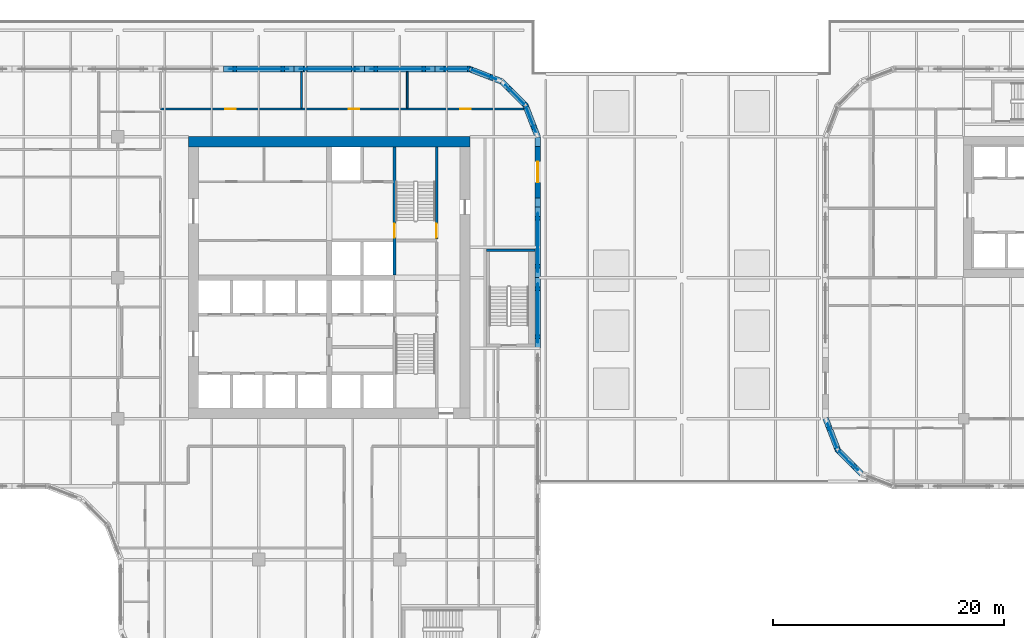
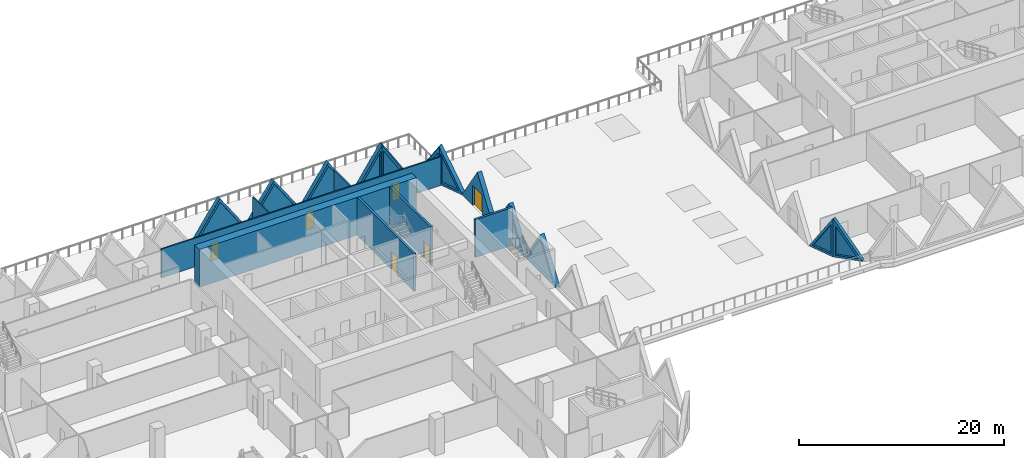
# One storey, part 12 of 21: 19 walls, 11 plates, 6 doors, 17 openings.
"""IFC4 building model written with IfcOpenShell, lengths in metres."""

from ifc_helpers import new_model, si_unit, direction, frame, frame_2d, origin, place, context, subcontext, project, spatial, polyline, rectangle, outline, extrude, faceted_brep, source, transform, mapped, material, layer, layer_set, type_object, element, fill, save


model = new_model("IFC4")

# Units and contexts
model_context = context("Model", 3, precision=1e-05, world=origin(), true_north=direction((0.0, 1.0)))
body_context = subcontext(model_context, "Body", "Model", "MODEL_VIEW")
ifc_project = project(units=[si_unit("LENGTHUNIT", "METRE"), si_unit("AREAUNIT", "SQUARE_METRE"), si_unit("VOLUMEUNIT", "CUBIC_METRE"), si_unit("PLANEANGLEUNIT", "RADIAN"), si_unit("MASSUNIT", "GRAM", prefix="KILO")], contexts=[model_context])

# Site, building, storey
site_placement = place(None, origin())
site = spatial("IfcSite", under=ifc_project, at=site_placement, CompositionType="ELEMENT")
building_placement = place(site_placement, origin())
building = spatial("IfcBuilding", under=site, at=building_placement, Name="Tessera Gate Towers", CompositionType="ELEMENT")
storey_placement = place(building_placement, frame((0.0, 0.0, 16.800048828125)))
storey = spatial("IfcBuildingStorey", under=building, at=storey_placement, Name="L03", CompositionType="ELEMENT", Elevation=16.800048828125)

# Wall, opening, door
ifc_material_1 = material(Name="Concrete C40/50", Category="concrete")
ifc_layer_1 = layer(ifc_material_1, 0.25)
ifc_layer_set_1 = layer_set([ifc_layer_1], Name="CORE ENCLOSURE WALL 250")
wall_type_1 = type_object("IfcWallType", Name="CORE ENCLOSURE WALL 250", PredefinedType="SOLIDWALL", material=ifc_layer_set_1)
wall_1_placement = place(storey_placement, frame((48.35009765625, 47.89990234375, 0.0), z_axis=(0.0, 0.0, 1.0), x_axis=(0.0, -1.0, 0.0)))
wall_1 = element("IfcWall", 1, at=wall_1_placement, inside=storey, type_object=wall_type_1, Name="L03 shaft and stair enclosure wall", PredefinedType="SOLIDWALL", context=body_context, shape_type="SweptSolid", body=[
    extrude(rectangle(XDim=11.0498046875, YDim=0.25, at=frame_2d((5.52490234375, 0.0))), origin(), (0.0, 0.0, 1.0), 4.5),
])
shared_shape_1 = source(origin(), body_context, "Body", "SweptSolid", [
    extrude(rectangle(XDim=1.199951171875, YDim=2.10009765625, at=frame_2d((0.60009765625, 1.050048828125))), frame((0.0, 0.135009765625, 0.0), z_axis=(0.0, -1.0, 0.0), x_axis=(1.0, 0.0, 0.0)), (0.0, 0.0, 1.0), 0.27001953125),
])
opening_1_placement = place(wall_1_placement, frame((6.625, 0.0, 0.0)))
opening_1 = element("IfcOpeningElement", 2, at=opening_1_placement, cuts=wall_1, Name="Opening SD-ST2-1", PredefinedType="OPENING", context=body_context, shape_type="MappedRepresentation", body=[
    mapped(shared_shape_1, transform((0.0, 0.0, 0.0), scale=1.0)),
])
ifc_material_2 = material(Name="Hollow steel fire door", Category="steel")
door_type_1 = type_object("IfcDoorType", Name="CORE DOOR SD 1200x2100", OperationType="NOTDEFINED", PredefinedType="DOOR", material=ifc_material_2)
shared_shape_2 = source(origin(), body_context, "Body", "SweptSolid", [
    extrude(rectangle(XDim=1.199951171875, YDim=2.10009765625, at=frame_2d((0.60009765625, 1.050048828125))), frame((0.0, 0.02490234375, 0.0), z_axis=(0.0, -1.0, 0.0), x_axis=(1.0, 0.0, 0.0)), (0.0, 0.0, 1.0), 0.050048828125),
])
door_1_placement = place(opening_1_placement, origin())
door_1 = element("IfcDoor", 3, at=door_1_placement, inside=storey, type_object=door_type_1, Name="Stair door", OperationType="SINGLE_SWING_RIGHT", OverallHeight=2.10009765625, OverallWidth=1.199951171875, PredefinedType="DOOR", context=body_context, shape_type="MappedRepresentation", body=[
    mapped(shared_shape_2, transform((0.0, 0.0, 0.0), scale=1.0)),
])
fill(opening_1, door_1)

wall_2_placement = place(storey_placement, frame((52.0, 39.925048828125, 0.0), z_axis=(0.0, 0.0, 1.0), x_axis=(0.0, 1.0, 0.0)))
wall_2 = element("IfcWall", 4, at=wall_2_placement, inside=storey, type_object=wall_type_1, Name="L03 shaft and stair enclosure wall", PredefinedType="SOLIDWALL", context=body_context, shape_type="SweptSolid", body=[
    extrude(rectangle(XDim=7.974853515625, YDim=0.25, at=frame_2d((3.9873046875, 0.0))), origin(), (0.0, 0.0, 1.0), 4.5),
])
opening_2_placement = place(wall_2_placement, frame((0.14990234375, 0.0, 0.0)))
opening_2 = element("IfcOpeningElement", 5, at=opening_2_placement, cuts=wall_2, Name="Opening SD-ST2-2", PredefinedType="OPENING", context=body_context, shape_type="MappedRepresentation", body=[
    mapped(shared_shape_1, transform((0.0, 0.0, 0.0), scale=1.0)),
])
door_2_placement = place(opening_2_placement, origin())
door_2 = element("IfcDoor", 6, at=door_2_placement, inside=storey, type_object=door_type_1, Name="Stair door", OperationType="SINGLE_SWING_LEFT", OverallHeight=2.10009765625, OverallWidth=1.199951171875, PredefinedType="DOOR", context=body_context, shape_type="MappedRepresentation", body=[
    mapped(shared_shape_2, transform((0.0, 0.0, 0.0), scale=1.0)),
])
fill(opening_2, door_2)

# Walls
wall_3_placement = place(storey_placement, frame((56.300048828125, 38.97509765625, 0.0), z_axis=(0.0, 0.0, 1.0), x_axis=(1.0, 0.0, 0.0)))
element("IfcWall", 7, at=wall_3_placement, inside=storey, type_object=wall_type_1, Name="L03 ST5 enclosure wall", PredefinedType="SOLIDWALL", context=body_context, shape_type="SweptSolid", body=[
    extrude(rectangle(XDim=4.199951171875, YDim=0.25, at=frame_2d((2.10009765625, 0.0))), origin(), (0.0, 0.0, 1.0), 4.5),
])
ifc_material_3 = material(Name="Concrete C70/85", Category="concrete")
ifc_layer_2 = layer(ifc_material_3, 0.89990234375)
ifc_layer_set_2 = layer_set([ifc_layer_2], Name="CORE SHEAR WALL 900 C70/85")
wall_type_2 = type_object("IfcWallType", Name="CORE SHEAR WALL 900 C70/85", PredefinedType="SHEAR", material=ifc_layer_set_2)
wall_4_placement = place(storey_placement, frame((30.5, 48.35009765625, 0.0), z_axis=(0.0, 0.0, 1.0), x_axis=(1.0, 0.0, 0.0)))
element("IfcWall", 8, at=wall_4_placement, inside=storey, type_object=wall_type_2, Name="Core wall N L03", PredefinedType="SHEAR", context=body_context, shape_type="SweptSolid", body=[
    extrude(rectangle(XDim=24.39990234375, YDim=0.89990234375, at=frame_2d((12.199951171875, 0.0))), origin(), (0.0, 0.0, 1.0), 4.5),
])

# Wall, openings, doors
ifc_material_4 = material(Name="Gypsum board on steel studs, mineral wool", Category="steel")
ifc_layer_3 = layer(ifc_material_4, 0.14990234375)
ifc_layer_set_3 = layer_set([ifc_layer_3], Name="CORRIDOR WALL 150")
wall_type_3 = type_object("IfcWallType", Name="CORRIDOR WALL 150", PredefinedType="PARTITIONING", material=ifc_layer_set_3)
wall_5_placement = place(storey_placement, frame((28.10009765625, 51.199951171875, 0.0), z_axis=(0.0, 0.0, 1.0), x_axis=(1.0, 0.0, 0.0)))
wall_5 = element("IfcWall", 9, at=wall_5_placement, inside=storey, type_object=wall_type_3, Name="T1-L03-PW-052", PredefinedType="PARTITIONING", context=body_context, shape_type="SweptSolid", body=[
    extrude(rectangle(XDim=31.438232421875, YDim=0.14990234375, at=frame_2d((15.71923828125, 0.0))), origin(), (0.0, 0.0, 1.0), 3.4150390625),
])
shared_shape_3 = source(origin(), body_context, "Body", "SweptSolid", [
    extrude(rectangle(XDim=0.89990234375, YDim=2.10009765625, at=frame_2d((0.449951171875, 1.050048828125))), frame((0.0, 0.0849609375, 0.0), z_axis=(0.0, -1.0, 0.0), x_axis=(1.0, 0.0, 0.0)), (0.0, 0.0, 1.0), 0.169921875),
])
opening_3_placement = place(wall_5_placement, frame((16.301025390625, 0.0, 0.0)))
opening_3 = element("IfcOpeningElement", 10, at=opening_3_placement, cuts=wall_5, Name="Opening D890FD60-A00-08", PredefinedType="OPENING", context=body_context, shape_type="MappedRepresentation", body=[
    mapped(shared_shape_3, transform((0.0, 0.0, 0.0), scale=1.0)),
])
opening_4_placement = place(wall_5_placement, frame((25.949951171875, 0.0, 0.0)))
opening_4 = element("IfcOpeningElement", 11, at=opening_4_placement, cuts=wall_5, Name="Opening D890FD60-A00-10", PredefinedType="OPENING", context=body_context, shape_type="MappedRepresentation", body=[
    mapped(shared_shape_3, transform((0.0, 0.0, 0.0), scale=1.0)),
])
opening_5_placement = place(wall_5_placement, frame((5.60009765625, 0.0, 0.0)))
opening_5 = element("IfcOpeningElement", 12, at=opening_5_placement, cuts=wall_5, Name="Opening D890FD60-A00-11", PredefinedType="OPENING", context=body_context, shape_type="MappedRepresentation", body=[
    mapped(shared_shape_3, transform((0.0, 0.0, 0.0), scale=1.0)),
])
ifc_material_5 = material(Name="Timber door leaf in steel frame", Category="steel")
door_type_2 = type_object("IfcDoorType", Name="CORRIDOR DOOR 900 FD60", OperationType="NOTDEFINED", PredefinedType="DOOR", material=ifc_material_5)
shared_shape_4 = source(origin(), body_context, "Body", "SweptSolid", [
    extrude(rectangle(XDim=0.89990234375, YDim=2.10009765625, at=frame_2d((0.449951171875, 1.050048828125))), frame((0.0, 0.02490234375, 0.0), z_axis=(0.0, -1.0, 0.0), x_axis=(1.0, 0.0, 0.0)), (0.0, 0.0, 1.0), 0.050048828125),
])
door_3_placement = place(opening_3_placement, origin())
door_3 = element("IfcDoor", 13, at=door_3_placement, inside=storey, type_object=door_type_2, Name="T1-L03-PD-025", OperationType="SINGLE_SWING_LEFT", OverallHeight=2.10009765625, OverallWidth=0.89990234375, PredefinedType="DOOR", context=body_context, shape_type="MappedRepresentation", body=[
    mapped(shared_shape_4, transform((0.0, 0.0, 0.0), scale=1.0)),
])
fill(opening_3, door_3)
door_4_placement = place(opening_4_placement, origin())
door_4 = element("IfcDoor", 14, at=door_4_placement, inside=storey, type_object=door_type_2, Name="T1-L03-PD-029", OperationType="SINGLE_SWING_LEFT", OverallHeight=2.10009765625, OverallWidth=0.89990234375, PredefinedType="DOOR", context=body_context, shape_type="MappedRepresentation", body=[
    mapped(shared_shape_4, transform((0.0, 0.0, 0.0), scale=1.0)),
])
fill(opening_4, door_4)
door_5_placement = place(opening_5_placement, origin())
door_5 = element("IfcDoor", 15, at=door_5_placement, inside=storey, type_object=door_type_2, Name="T1-L03-PD-030", OperationType="SINGLE_SWING_LEFT", OverallHeight=2.10009765625, OverallWidth=0.89990234375, PredefinedType="DOOR", context=body_context, shape_type="MappedRepresentation", body=[
    mapped(shared_shape_4, transform((0.0, 0.0, 0.0), scale=1.0)),
])
fill(opening_5, door_5)

# Walls
ifc_material_6 = material(Name="Gypsum board on steel studs, mineral wool", Category="steel")
ifc_layer_4 = layer(ifc_material_6, 0.14990234375)
ifc_layer_set_4 = layer_set([ifc_layer_4], Name="TENANCY WALL 150")
wall_type_4 = type_object("IfcWallType", Name="TENANCY WALL 150", PredefinedType="PARTITIONING", material=ifc_layer_set_4)
for number, where, z_axis, x_axis, name in (
    (16, (40.300048828125, 51.27587890625, 0.0), (0.0, 0.0, 1.0), (0.0, 1.0, 0.0), "T1-L03-PW-054"),
    (17, (49.449951171875, 51.27587890625, 0.0), (0.0, 0.0, 1.0), (0.0, 1.0, 0.0), "T1-L03-PW-055"),
):
    element("IfcWall", number, at=place(storey_placement, frame(where, z_axis=z_axis, x_axis=x_axis)), inside=storey, type_object=wall_type_4, Name=name, PredefinedType="PARTITIONING", context=body_context, shape_type="SweptSolid", body=[
        extrude(rectangle(XDim=3.1240234375, YDim=0.14990234375, at=frame_2d((1.56201171875, 0.0))), origin(), (0.0, 0.0, 1.0), 3.4150390625),
    ])

# Wall, opening, plate
ifc_material_7 = material(Name="Precast concrete C60/75 white", Category="concrete")
ifc_layer_5 = layer(ifc_material_7, 0.5)
ifc_layer_set_5 = layer_set([ifc_layer_5], Name="TS3 corner tessera")
wall_type_5 = type_object("IfcWallType", Name="TS3 corner tessera", PredefinedType="SOLIDWALL", material=ifc_layer_set_5)
shared_shape_5 = source(origin(), body_context, "Body", "Brep", [
    faceted_brep([(3.050048828125, -0.25, 0.0), (0.046630859375, -0.25, 4.5), (0.0, -0.25, 4.428955078125), (0.0, -0.25, 0.0), (0.09326171875, 0.25, 4.43017578125), (3.050048828125, 0.25, 0.0), (0.09326171875, 0.25, 0.0), (0.046630859375, 0.0, 4.5)], [[[0, 1, 2, 3]], [[4, 5, 6]], [[5, 4, 7, 1, 0]], [[2, 1, 7]], [[6, 5, 0, 3]], [[6, 3, 2, 7, 4]]]),
])
wall_6_placement = place(storey_placement, frame((54.900146484375, 54.64990234375, 0.0), z_axis=(0.0, 0.0, 1.0), x_axis=(-1.0, 0.0, 0.0)))
wall_6 = element("IfcWall", 18, at=wall_6_placement, inside=storey, type_object=wall_type_5, Name="Precast corner tessera T1 TS3-0010", PredefinedType="SOLIDWALL", context=body_context, shape_type="MappedRepresentation", body=[
    mapped(shared_shape_5, transform((0.0, 0.0, 0.0), scale=1.0)),
])
shared_shape_6 = source(origin(), body_context, "Body", "SweptSolid", [
    extrude(outline(polyline([(2.582763671875, 0.25), (0.24658203125, 3.75), (0.24658203125, 0.25), (2.582763671875, 0.25)])), frame((0.0, 0.260009765625, 0.0), z_axis=(0.0, -1.0, 0.0), x_axis=(1.0, 0.0, 0.0)), (0.0, 0.0, 1.0), 0.52001953125),
])
opening_6_placement = place(wall_6_placement, origin())
opening_6 = element("IfcOpeningElement", 19, at=opening_6_placement, cuts=wall_6, Name="Opening T1-PL1-0019", PredefinedType="OPENING", context=body_context, shape_type="MappedRepresentation", body=[
    mapped(shared_shape_6, transform((0.0, 0.0, 0.0), scale=1.0)),
])
ifc_material_8 = material(Name="Low-e laminated glass", Category="glass")
ifc_layer_6 = layer(ifc_material_8, 0.06005859375)
ifc_layer_set_6 = layer_set([ifc_layer_6], Name="PL1 triangular pane")
plate_type = type_object("IfcPlateType", Name="PL1 triangular pane", PredefinedType="SHEET", material=ifc_layer_set_6)
shared_shape_7 = source(origin(), body_context, "Body", "SweptSolid", [
    extrude(outline(polyline([(2.582763671875, 0.25), (0.24658203125, 3.75), (0.24658203125, 0.25), (2.582763671875, 0.25)])), frame((0.0, 0.030029296875, 0.0), z_axis=(0.0, -1.0, 0.0), x_axis=(1.0, 0.0, 0.0)), (0.0, 0.0, 1.0), 0.06005859375),
])
plate_1_placement = place(opening_6_placement, origin())
plate_1 = element("IfcPlate", 20, at=plate_1_placement, inside=storey, type_object=plate_type, Name="Glass pane T1 PL1-0019", PredefinedType="SHEET", context=body_context, shape_type="MappedRepresentation", body=[
    mapped(shared_shape_7, transform((0.0, 0.0, 0.0), scale=1.0)),
])
fill(opening_6, plate_1)

ifc_material_9 = material(Name="Precast concrete C60/75 white", Category="concrete")
ifc_layer_7 = layer(ifc_material_9, 0.5)
ifc_layer_set_7 = layer_set([ifc_layer_7], Name="TS2 half tessera")
wall_type_6 = type_object("IfcWallType", Name="TS2 half tessera", PredefinedType="SOLIDWALL", material=ifc_layer_set_7)
shared_shape_8 = source(origin(), body_context, "Body", "Brep", [
    faceted_brep([(6.099853515625, -0.25, 0.000244140625), (3.050048828125, -0.25, 4.5), (0.0, -0.25, 0.0), (6.099853515625, -0.25, 0.0), (0.0, 0.25, 0.0), (3.050048828125, 0.25, 4.5), (6.099853515625, 0.25, 0.000244140625), (6.099853515625, 0.25, 0.0)], [[[0, 1, 2, 3]], [[4, 5, 6, 7]], [[6, 5, 1, 0]], [[5, 4, 2, 1]], [[4, 7, 3, 2]], [[3, 7, 6, 0]]]),
])
wall_7_placement = place(storey_placement, frame((60.75, 36.60009765625, 0.0), z_axis=(0.0, 0.0, 1.0), x_axis=(0.0, 1.0, 0.0)))
wall_7 = element("IfcWall", 21, at=wall_7_placement, inside=storey, type_object=wall_type_6, Name="Precast half tessera T1 TS2-0009", PredefinedType="SOLIDWALL", context=body_context, shape_type="MappedRepresentation", body=[
    mapped(shared_shape_8, transform((0.0, 0.0, 0.0), scale=1.0)),
])
shared_shape_9 = source(origin(), body_context, "Body", "SweptSolid", [
    extrude(outline(polyline([(5.628662109375, 0.25), (3.050048828125, 4.054443359375), (0.471435546875, 0.25), (5.628662109375, 0.25)])), frame((0.0, 0.260009765625, 0.0), z_axis=(0.0, -1.0, 0.0), x_axis=(1.0, 0.0, 0.0)), (0.0, 0.0, 1.0), 0.52001953125),
])
opening_7_placement = place(wall_7_placement, origin())
opening_7 = element("IfcOpeningElement", 22, at=opening_7_placement, cuts=wall_7, Name="Opening T1-PL1-0015", PredefinedType="OPENING", context=body_context, shape_type="MappedRepresentation", body=[
    mapped(shared_shape_9, transform((0.0, 0.0, 0.0), scale=1.0)),
])
shared_shape_10 = source(origin(), body_context, "Body", "SweptSolid", [
    extrude(outline(polyline([(5.628662109375, 0.25), (3.050048828125, 4.054443359375), (0.471435546875, 0.25), (5.628662109375, 0.25)])), frame((0.0, 0.030029296875, 0.0), z_axis=(0.0, -1.0, 0.0), x_axis=(1.0, 0.0, 0.0)), (0.0, 0.0, 1.0), 0.06005859375),
])
plate_2_placement = place(opening_7_placement, origin())
plate_2 = element("IfcPlate", 23, at=plate_2_placement, inside=storey, type_object=plate_type, Name="Glass pane T1 PL1-0015", PredefinedType="SHEET", context=body_context, shape_type="MappedRepresentation", body=[
    mapped(shared_shape_10, transform((0.0, 0.0, 0.0), scale=1.0)),
])
fill(opening_7, plate_2)

wall_8_placement = place(storey_placement, frame((39.64990234375, 54.64990234375, 0.0), z_axis=(0.0, 0.0, 1.0), x_axis=(-1.0, 0.0, 0.0)))
wall_8 = element("IfcWall", 24, at=wall_8_placement, inside=storey, type_object=wall_type_6, Name="Precast half tessera T1 TS2-0012", PredefinedType="SOLIDWALL", context=body_context, shape_type="MappedRepresentation", body=[
    mapped(shared_shape_8, transform((0.0, 0.0, 0.0), scale=1.0)),
])
opening_8_placement = place(wall_8_placement, origin())
opening_8 = element("IfcOpeningElement", 25, at=opening_8_placement, cuts=wall_8, Name="Opening T1-PL1-0022", PredefinedType="OPENING", context=body_context, shape_type="MappedRepresentation", body=[
    mapped(shared_shape_9, transform((0.0, 0.0, 0.0), scale=1.0)),
])
plate_3_placement = place(opening_8_placement, origin())
plate_3 = element("IfcPlate", 26, at=plate_3_placement, inside=storey, type_object=plate_type, Name="Glass pane T1 PL1-0022", PredefinedType="SHEET", context=body_context, shape_type="MappedRepresentation", body=[
    mapped(shared_shape_10, transform((0.0, 0.0, 0.0), scale=1.0)),
])
fill(opening_8, plate_3)

shared_shape_11 = source(origin(), body_context, "Body", "SweptSolid", [
    extrude(outline(polyline([(6.10009765625, 0.0), (3.050048828125, 4.5), (0.0, 0.0), (6.10009765625, 0.0)])), frame((0.0, 0.25, 0.0), z_axis=(0.0, -1.0, 0.0), x_axis=(1.0, 0.0, 0.0)), (0.0, 0.0, 1.0), 0.5),
])
wall_9_placement = place(storey_placement, frame((60.75, 30.5, 0.0), z_axis=(0.0, 0.0, 1.0), x_axis=(0.0, 1.0, 0.0)))
wall_9 = element("IfcWall", 27, at=wall_9_placement, inside=storey, type_object=wall_type_6, Name="Precast half tessera T1 TS2-0008", PredefinedType="SOLIDWALL", context=body_context, shape_type="MappedRepresentation", body=[
    mapped(shared_shape_11, transform((0.0, 0.0, 0.0), scale=1.0)),
])
opening_9_placement = place(wall_9_placement, origin())
opening_9 = element("IfcOpeningElement", 28, at=opening_9_placement, cuts=wall_9, Name="Opening T1-PL1-0014", PredefinedType="OPENING", context=body_context, shape_type="MappedRepresentation", body=[
    mapped(shared_shape_9, transform((0.0, 0.0, 0.0), scale=1.0)),
])
plate_4_placement = place(opening_9_placement, origin())
plate_4 = element("IfcPlate", 29, at=plate_4_placement, inside=storey, type_object=plate_type, Name="Glass pane T1 PL1-0014", PredefinedType="SHEET", context=body_context, shape_type="MappedRepresentation", body=[
    mapped(shared_shape_10, transform((0.0, 0.0, 0.0), scale=1.0)),
])
fill(opening_9, plate_4)

wall_10_placement = place(storey_placement, frame((51.85009765625, 54.64990234375, 0.0), z_axis=(0.0, 0.0, 1.0), x_axis=(-1.0, 0.0, 0.0)))
wall_10 = element("IfcWall", 30, at=wall_10_placement, inside=storey, type_object=wall_type_6, Name="Precast half tessera T1 TS2-0010", PredefinedType="SOLIDWALL", context=body_context, shape_type="MappedRepresentation", body=[
    mapped(shared_shape_11, transform((0.0, 0.0, 0.0), scale=1.0)),
])
opening_10_placement = place(wall_10_placement, origin())
opening_10 = element("IfcOpeningElement", 31, at=opening_10_placement, cuts=wall_10, Name="Opening T1-PL1-0020", PredefinedType="OPENING", context=body_context, shape_type="MappedRepresentation", body=[
    mapped(shared_shape_9, transform((0.0, 0.0, 0.0), scale=1.0)),
])
plate_5_placement = place(opening_10_placement, origin())
plate_5 = element("IfcPlate", 32, at=plate_5_placement, inside=storey, type_object=plate_type, Name="Glass pane T1 PL1-0020", PredefinedType="SHEET", context=body_context, shape_type="MappedRepresentation", body=[
    mapped(shared_shape_10, transform((0.0, 0.0, 0.0), scale=1.0)),
])
fill(opening_10, plate_5)

wall_11_placement = place(storey_placement, frame((45.75, 54.64990234375, 0.0), z_axis=(0.0, 0.0, 1.0), x_axis=(-1.0, 0.0, 0.0)))
wall_11 = element("IfcWall", 33, at=wall_11_placement, inside=storey, type_object=wall_type_6, Name="Precast half tessera T1 TS2-0011", PredefinedType="SOLIDWALL", context=body_context, shape_type="MappedRepresentation", body=[
    mapped(shared_shape_11, transform((0.0, 0.0, 0.0), scale=1.0)),
])
opening_11_placement = place(wall_11_placement, origin())
opening_11 = element("IfcOpeningElement", 34, at=opening_11_placement, cuts=wall_11, Name="Opening T1-PL1-0021", PredefinedType="OPENING", context=body_context, shape_type="MappedRepresentation", body=[
    mapped(shared_shape_9, transform((0.0, 0.0, 0.0), scale=1.0)),
])
plate_6_placement = place(opening_11_placement, origin())
plate_6 = element("IfcPlate", 35, at=plate_6_placement, inside=storey, type_object=plate_type, Name="Glass pane T1 PL1-0021", PredefinedType="SHEET", context=body_context, shape_type="MappedRepresentation", body=[
    mapped(shared_shape_10, transform((0.0, 0.0, 0.0), scale=1.0)),
])
fill(opening_11, plate_6)

# Wall, opening, door
ifc_material_10 = material(Name="Precast concrete C60/75 white", Category="concrete")
ifc_layer_8 = layer(ifc_material_10, 0.5)
ifc_layer_set_8 = layer_set([ifc_layer_8], Name="TS4 bridge door tessera")
wall_type_7 = type_object("IfcWallType", Name="TS4 bridge door tessera", PredefinedType="SOLIDWALL", material=ifc_layer_set_8)
shared_shape_12 = source(origin(), body_context, "Body", "Brep", [
    faceted_brep([(6.053466796875, -0.25, 0.0), (3.050048828125, -0.25, 4.5), (0.0, -0.25, 0.0), (0.0, 0.25, 0.0), (3.050048828125, 0.25, 4.5), (6.0068359375, 0.25, 0.06982421875), (6.0068359375, 0.25, 0.0), (6.053466796875, 0.0, 0.0)], [[[0, 1, 2]], [[3, 4, 5, 6]], [[5, 4, 1, 0, 7]], [[4, 3, 2, 1]], [[3, 6, 7, 0, 2]], [[7, 6, 5]]]),
])
wall_12_placement = place(storey_placement, frame((60.75, 42.699951171875, 0.0), z_axis=(0.0, 0.0, 1.0), x_axis=(0.0, 1.0, 0.0)))
wall_12 = element("IfcWall", 36, at=wall_12_placement, inside=storey, type_object=wall_type_7, Name="Precast bridge door tessera T1 TS4-0001", PredefinedType="SOLIDWALL", context=body_context, shape_type="MappedRepresentation", body=[
    mapped(shared_shape_12, transform((0.0, 0.0, 0.0), scale=1.0)),
])
shared_shape_13 = source(origin(), body_context, "Body", "SweptSolid", [
    extrude(rectangle(XDim=1.800048828125, YDim=2.39990234375, at=frame_2d((0.89990234375, 1.199951171875))), frame((0.0, 0.260009765625, 0.0), z_axis=(0.0, -1.0, 0.0), x_axis=(1.0, 0.0, 0.0)), (0.0, 0.0, 1.0), 0.52001953125),
])
opening_12_placement = place(wall_12_placement, frame((2.14990234375, 0.0, 0.0)))
opening_12 = element("IfcOpeningElement", 37, at=opening_12_placement, cuts=wall_12, Name="Opening D-E108", PredefinedType="OPENING", context=body_context, shape_type="MappedRepresentation", body=[
    mapped(shared_shape_13, transform((0.0, 0.0, 0.0), scale=1.0)),
])
ifc_material_11 = material(Name="Steel and glass fire door", Category="steel")
ifc_layer_9 = layer(ifc_material_11, 0.06005859375)
ifc_layer_set_9 = layer_set([ifc_layer_9], Name="DL5 tessera fire door")
door_type_3 = type_object("IfcDoorType", Name="DL5 tessera fire door", OperationType="DOUBLE_DOOR_SINGLE_SWING", PredefinedType="DOOR", material=ifc_layer_set_9)
shared_shape_14 = source(origin(), body_context, "Body", "SweptSolid", [
    extrude(rectangle(XDim=1.800048828125, YDim=2.39990234375, at=frame_2d((0.89990234375, 1.199951171875))), frame((0.0, 0.030029296875, 0.0), z_axis=(0.0, -1.0, 0.0), x_axis=(1.0, 0.0, 0.0)), (0.0, 0.0, 1.0), 0.06005859375),
])
door_6_placement = place(opening_12_placement, origin())
door_6 = element("IfcDoor", 38, at=door_6_placement, inside=storey, type_object=door_type_3, Name="Roof terrace door D-E108", OperationType="DOUBLE_DOOR_SINGLE_SWING", OverallHeight=2.39990234375, OverallWidth=1.800048828125, PredefinedType="DOOR", context=body_context, shape_type="MappedRepresentation", body=[
    mapped(shared_shape_14, transform((0.0, 0.0, 0.0), scale=1.0)),
])
fill(opening_12, door_6)

# Wall, opening, plate
shared_shape_15 = source(origin(), body_context, "Body", "Brep", [
    faceted_brep([(3.00341796875, -0.25, 4.4189453125), (2.950439453125, -0.25, 4.5), (0.0, -0.25, 0.0), (3.00341796875, -0.25, 0.0), (0.046630859375, 0.25, 0.071044921875), (2.897705078125, 0.25, 4.41943359375), (2.897705078125, 0.25, 0.0), (0.046630859375, 0.25, 0.0), (2.950439453125, 0.00048828125, 4.5), (0.0, 0.0, 0.0)], [[[0, 1, 2, 3]], [[4, 5, 6, 7]], [[8, 1, 0]], [[5, 4, 9, 2, 1, 8]], [[7, 6, 3, 2, 9]], [[7, 9, 4]], [[3, 6, 5, 8, 0]]]),
])
wall_13_placement = place(storey_placement, frame((60.75, 48.75341796875, 0.0), z_axis=(0.0, 0.0, 1.0), x_axis=(-0.35992665181, 0.932980602862, 0.0)))
wall_13 = element("IfcWall", 39, at=wall_13_placement, inside=storey, type_object=wall_type_5, Name="Precast corner tessera T1 TS3-0007", PredefinedType="SOLIDWALL", context=body_context, shape_type="MappedRepresentation", body=[
    mapped(shared_shape_15, transform((0.0, 0.0, 0.0), scale=1.0)),
])
shared_shape_16 = source(origin(), body_context, "Body", "SweptSolid", [
    extrude(outline(polyline([(2.75048828125, 3.739013671875), (0.462890625, 0.25), (2.75048828125, 0.25), (2.75048828125, 3.739013671875)])), frame((0.0, 0.260009765625, 0.0), z_axis=(0.0, -1.0, 0.0), x_axis=(1.0, 0.0, 0.0)), (0.0, 0.0, 1.0), 0.52001953125),
])
opening_13_placement = place(wall_13_placement, origin())
opening_13 = element("IfcOpeningElement", 40, at=opening_13_placement, cuts=wall_13, Name="Opening T1-PL1-0016", PredefinedType="OPENING", context=body_context, shape_type="MappedRepresentation", body=[
    mapped(shared_shape_16, transform((0.0, 0.0, 0.0), scale=1.0)),
])
shared_shape_17 = source(origin(), body_context, "Body", "SweptSolid", [
    extrude(outline(polyline([(2.75048828125, 3.739013671875), (0.462890625, 0.25), (2.75048828125, 0.25), (2.75048828125, 3.739013671875)])), frame((0.0, 0.030029296875, 0.0), z_axis=(0.0, -1.0, 0.0), x_axis=(1.0, 0.0, 0.0)), (0.0, 0.0, 1.0), 0.06005859375),
])
plate_7_placement = place(opening_13_placement, origin())
plate_7 = element("IfcPlate", 41, at=plate_7_placement, inside=storey, type_object=plate_type, Name="Glass pane T1 PL1-0016", PredefinedType="SHEET", context=body_context, shape_type="MappedRepresentation", body=[
    mapped(shared_shape_17, transform((0.0, 0.0, 0.0), scale=1.0)),
])
fill(opening_13, plate_7)

wall_14_placement = place(storey_placement, frame((85.64990234375, 24.446533203125, 0.0), z_axis=(0.0, 0.0, 1.0), x_axis=(0.35992665181, -0.932980602862, 0.0)))
wall_14 = element("IfcWall", 42, at=wall_14_placement, inside=storey, type_object=wall_type_5, Name="Precast corner tessera T2 TS3-0015", PredefinedType="SOLIDWALL", context=body_context, shape_type="MappedRepresentation", body=[
    mapped(shared_shape_15, transform((0.0, 0.0, 0.0), scale=1.0)),
])
opening_14_placement = place(wall_14_placement, origin())
opening_14 = element("IfcOpeningElement", 43, at=opening_14_placement, cuts=wall_14, Name="Opening T2-PL1-0032", PredefinedType="OPENING", context=body_context, shape_type="MappedRepresentation", body=[
    mapped(shared_shape_16, transform((0.0, 0.0, 0.0), scale=1.0)),
])
plate_8_placement = place(opening_14_placement, origin())
plate_8 = element("IfcPlate", 44, at=plate_8_placement, inside=storey, type_object=plate_type, Name="Glass pane T2 PL1-0032", PredefinedType="SHEET", context=body_context, shape_type="MappedRepresentation", body=[
    mapped(shared_shape_17, transform((0.0, 0.0, 0.0), scale=1.0)),
])
fill(opening_14, plate_8)

shared_shape_18 = source(origin(), body_context, "Body", "Brep", [
    faceted_brep([(2.9970703125, -0.25, 0.0), (0.052978515625, -0.25, 4.5), (0.0, -0.25, 4.419189453125), (0.0, -0.25, 0.0), (0.10595703125, 0.25, 4.419189453125), (2.944091796875, 0.25, 0.080810546875), (2.944091796875, 0.25, 0.0), (0.10595703125, 0.25, 0.0), (0.052978515625, 0.0, 4.5), (2.9970703125, 0.000244140625, 0.0)], [[[0, 1, 2, 3]], [[4, 5, 6, 7]], [[5, 4, 8, 1, 0, 9]], [[2, 1, 8]], [[7, 6, 9, 0, 3]], [[7, 3, 2, 8, 4]], [[9, 6, 5]]]),
])
wall_15_placement = place(storey_placement, frame((59.7255859375, 51.46875, 0.0), z_axis=(0.0, 0.0, 1.0), x_axis=(-0.707106781187, 0.707106781187, 0.0)))
wall_15 = element("IfcWall", 45, at=wall_15_placement, inside=storey, type_object=wall_type_5, Name="Precast corner tessera T1 TS3-0008", PredefinedType="SOLIDWALL", context=body_context, shape_type="MappedRepresentation", body=[
    mapped(shared_shape_18, transform((0.0, 0.0, 0.0), scale=1.0)),
])
shared_shape_19 = source(origin(), body_context, "Body", "SweptSolid", [
    extrude(outline(polyline([(2.534912109375, 0.25), (0.2529296875, 3.737548828125), (0.2529296875, 0.25), (2.534912109375, 0.25)])), frame((0.0, 0.260009765625, 0.0), z_axis=(0.0, -1.0, 0.0), x_axis=(1.0, 0.0, 0.0)), (0.0, 0.0, 1.0), 0.52001953125),
])
opening_15_placement = place(wall_15_placement, origin())
opening_15 = element("IfcOpeningElement", 46, at=opening_15_placement, cuts=wall_15, Name="Opening T1-PL1-0017", PredefinedType="OPENING", context=body_context, shape_type="MappedRepresentation", body=[
    mapped(shared_shape_19, transform((0.0, 0.0, 0.0), scale=1.0)),
])
shared_shape_20 = source(origin(), body_context, "Body", "SweptSolid", [
    extrude(outline(polyline([(2.534912109375, 0.25), (0.2529296875, 3.737548828125), (0.2529296875, 0.25), (2.534912109375, 0.25)])), frame((0.0, 0.030029296875, 0.0), z_axis=(0.0, -1.0, 0.0), x_axis=(1.0, 0.0, 0.0)), (0.0, 0.0, 1.0), 0.06005859375),
])
plate_9_placement = place(opening_15_placement, origin())
plate_9 = element("IfcPlate", 47, at=plate_9_placement, inside=storey, type_object=plate_type, Name="Glass pane T1 PL1-0017", PredefinedType="SHEET", context=body_context, shape_type="MappedRepresentation", body=[
    mapped(shared_shape_20, transform((0.0, 0.0, 0.0), scale=1.0)),
])
fill(opening_15, plate_9)

shared_shape_21 = source(origin(), body_context, "Body", "Brep", [
    faceted_brep([(2.9970703125, -0.25, 4.43017578125), (2.950439453125, -0.25, 4.5), (0.0, -0.25, 0.0), (2.9970703125, -0.25, 0.0), (0.052978515625, 0.25, 0.080810546875), (2.904052734375, 0.25, 4.42919921875), (2.904052734375, 0.25, 0.0), (0.052978515625, 0.25, 0.0), (2.950439453125, 0.00048828125, 4.5), (0.0, 0.0, 0.0)], [[[0, 1, 2, 3]], [[4, 5, 6, 7]], [[8, 1, 0]], [[5, 4, 9, 2, 1, 8]], [[7, 6, 3, 2, 9]], [[7, 9, 4]], [[3, 6, 5, 8, 0]]]),
])
wall_16_placement = place(storey_placement, frame((57.606201171875, 53.588134765625, 0.0), z_axis=(0.0, 0.0, 1.0), x_axis=(-0.932990326376, 0.359901446078, 0.0)))
wall_16 = element("IfcWall", 48, at=wall_16_placement, inside=storey, type_object=wall_type_5, Name="Precast corner tessera T1 TS3-0009", PredefinedType="SOLIDWALL", context=body_context, shape_type="MappedRepresentation", body=[
    mapped(shared_shape_21, transform((0.0, 0.0, 0.0), scale=1.0)),
])
opening_16_placement = place(wall_16_placement, origin())
opening_16 = element("IfcOpeningElement", 49, at=opening_16_placement, cuts=wall_16, Name="Opening T1-PL1-0018", PredefinedType="OPENING", context=body_context, shape_type="MappedRepresentation", body=[
    mapped(shared_shape_16, transform((0.0, 0.0, 0.0), scale=1.0)),
])
plate_10_placement = place(opening_16_placement, origin())
plate_10 = element("IfcPlate", 50, at=plate_10_placement, inside=storey, type_object=plate_type, Name="Glass pane T1 PL1-0018", PredefinedType="SHEET", context=body_context, shape_type="MappedRepresentation", body=[
    mapped(shared_shape_17, transform((0.0, 0.0, 0.0), scale=1.0)),
])
fill(opening_16, plate_10)

shared_shape_22 = source(origin(), body_context, "Body", "Brep", [
    faceted_brep([(2.9970703125, -0.25, 0.0), (0.052978515625, -0.25, 4.5), (0.0, -0.25, 4.419189453125), (0.0, -0.25, 0.0), (0.10595703125, 0.25, 4.419189453125), (2.944091796875, 0.25, 0.080810546875), (2.944091796875, 0.25, 0.0), (0.10595703125, 0.25, 0.0), (0.052978515625, 0.0, 4.5), (2.9970703125, 0.000244140625, 0.0)], [[[0, 1, 2, 3]], [[4, 5, 6, 7]], [[5, 4, 8, 1, 0, 9]], [[2, 1, 8]], [[7, 6, 9, 0, 3]], [[7, 3, 2, 8, 4]], [[9, 6, 5]]]),
])
wall_17_placement = place(storey_placement, frame((86.674560546875, 21.731201171875, 0.0), z_axis=(0.0, 0.0, 1.0), x_axis=(0.707106781187, -0.707106781187, 0.0)))
wall_17 = element("IfcWall", 51, at=wall_17_placement, inside=storey, type_object=wall_type_5, Name="Precast corner tessera T2 TS3-0016", PredefinedType="SOLIDWALL", context=body_context, shape_type="MappedRepresentation", body=[
    mapped(shared_shape_22, transform((0.0, 0.0, 0.0), scale=1.0)),
])
opening_17_placement = place(wall_17_placement, origin())
opening_17 = element("IfcOpeningElement", 52, at=opening_17_placement, cuts=wall_17, Name="Opening T2-PL1-0033", PredefinedType="OPENING", context=body_context, shape_type="MappedRepresentation", body=[
    mapped(shared_shape_19, transform((0.0, 0.0, 0.0), scale=1.0)),
])
plate_11_placement = place(opening_17_placement, origin())
plate_11 = element("IfcPlate", 53, at=plate_11_placement, inside=storey, type_object=plate_type, Name="Glass pane T2 PL1-0033", PredefinedType="SHEET", context=body_context, shape_type="MappedRepresentation", body=[
    mapped(shared_shape_20, transform((0.0, 0.0, 0.0), scale=1.0)),
])
fill(opening_17, plate_11)

save(model, "model.ifc")
